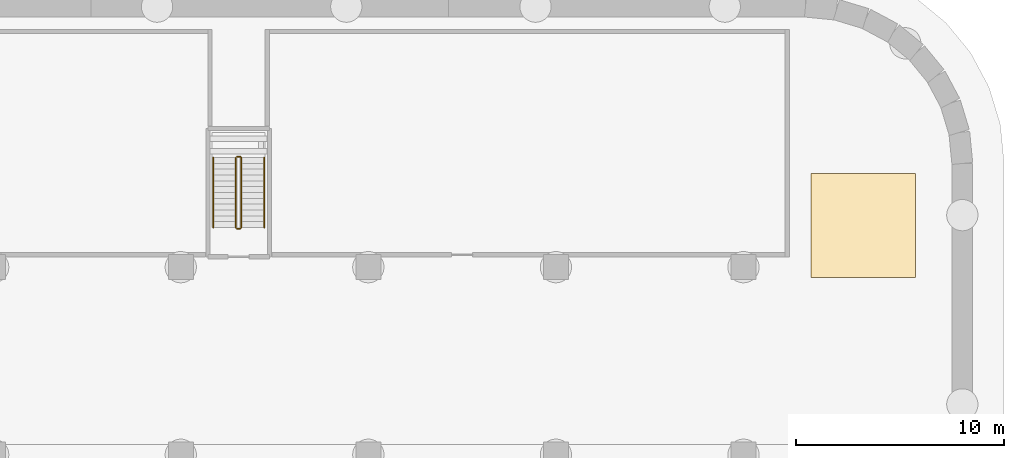
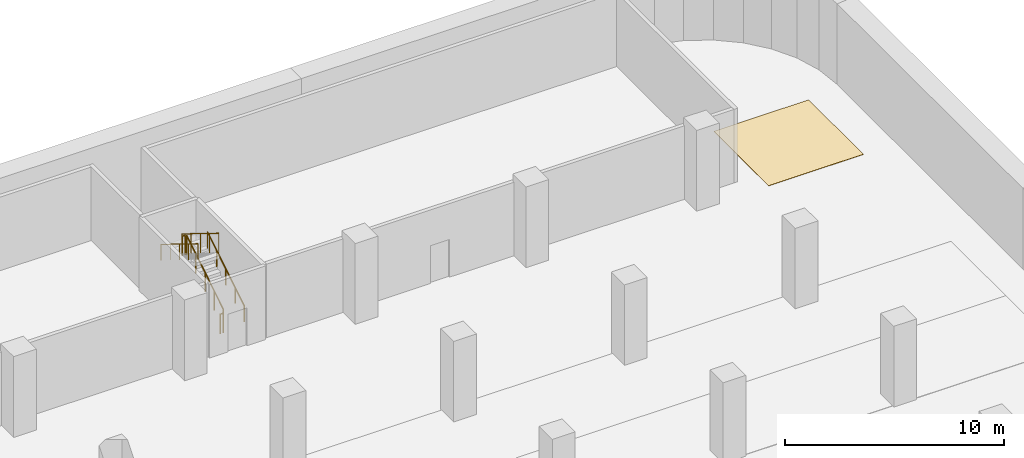
# One storey, part 38 of 39: 6 railings, 1 covering.
"""IFC4 building model written with IfcOpenShell, lengths in metres."""

from ifc_helpers import new_model, si_unit, direction, frame, origin, origin_2d, place, context, subcontext, project, spatial, polyline, circle, outline, extrude, material, layer, layer_set, type_object, element, save


model = new_model("IFC4")

# Units and contexts
model_context = context("Model", 3, precision=1e-05, world=origin(), true_north=direction((0.0, 1.0)))
body_context = subcontext(model_context, "Body", "Model", "MODEL_VIEW")
ifc_project = project(units=[si_unit("LENGTHUNIT", "METRE"), si_unit("AREAUNIT", "SQUARE_METRE"), si_unit("VOLUMEUNIT", "CUBIC_METRE"), si_unit("PLANEANGLEUNIT", "RADIAN"), si_unit("MASSUNIT", "GRAM", prefix="KILO")], contexts=[model_context])

# Site, building, storey
site_placement = place(None, origin())
site = spatial("IfcSite", under=ifc_project, at=site_placement, CompositionType="ELEMENT")
building_placement = place(site_placement, origin())
building = spatial("IfcBuilding", under=site, at=building_placement, Name="Ogive Gate Towers", CompositionType="ELEMENT")
storey_placement = place(building_placement, frame((0.0, 0.0, -9.0)))
storey = spatial("IfcBuildingStorey", under=building, at=storey_placement, Name="B2", CompositionType="ELEMENT", Elevation=-9.0)

# Railings
ifc_material_1 = material(Name="Painted steel", Category="steel")
railing_type_1 = type_object("IfcRailingType", Name="Car park stair guard 1100", PredefinedType="GUARDRAIL", material=ifc_material_1)
railing_1_placement = place(storey_placement, frame((92.89990234375, 64.89990234375, 0.173095703125)))
element("IfcRailing", 1, at=railing_1_placement, inside=storey, type_object=railing_type_1, Name="B2 CS4 stair guard 1", PredefinedType="GUARDRAIL", context=body_context, shape_type="SweptSolid", body=[
    extrude(circle(Radius=0.02392578125, at=origin_2d()), frame((0.0, 0.0, 1.076171875), z_axis=(0.0, 0.850623216509, 0.525775754039), x_axis=(-1.0, 0.0, 0.0)), (0.0, 0.0, 1.0), 3.9501953125),
    extrude(circle(Radius=0.02099609375, at=origin_2d()), origin(), (0.0, 0.0, 1.0), 1.052001953125),
    extrude(circle(Radius=0.02099609375, at=origin_2d()), frame((0.0, 0.840087890625, 0.519287109375)), (0.0, 0.0, 1.0), 1.052001953125),
    extrude(circle(Radius=0.02099609375, at=origin_2d()), frame((0.0, 1.68017578125, 1.03857421875)), (0.0, 0.0, 1.0), 1.052001953125),
    extrude(circle(Radius=0.02099609375, at=origin_2d()), frame((0.0, 2.52001953125, 1.5576171875)), (0.0, 0.0, 1.0), 1.052001953125),
    extrude(circle(Radius=0.02099609375, at=origin_2d()), frame((0.0, 3.360107421875, 2.076904296875)), (0.0, 0.0, 1.0), 1.052001953125),
])
railing_2_placement = place(storey_placement, frame((92.85009765625, 68.31005859375, 2.25)))
element("IfcRailing", 2, at=railing_2_placement, inside=storey, type_object=railing_type_1, Name="B2 CS4 stair guard 2", PredefinedType="GUARDRAIL", context=body_context, shape_type="SweptSolid", body=[
    extrude(circle(Radius=0.02392578125, at=origin_2d()), frame((0.0, 0.0, 1.076171875), z_axis=(-1.0, 0.0, 0.0), x_axis=(0.0, -1.0, 0.0)), (0.0, 0.0, 1.0), 0.150146484375),
    extrude(circle(Radius=0.02099609375, at=origin_2d()), origin(), (0.0, 0.0, 1.0), 1.052001953125),
    extrude(circle(Radius=0.02099609375, at=origin_2d()), frame((-0.150146484375, 0.0, 0.0)), (0.0, 0.0, 1.0), 1.052001953125),
])
railing_3_placement = place(storey_placement, frame((92.64990234375, 68.260009765625, 2.423095703125)))
element("IfcRailing", 3, at=railing_3_placement, inside=storey, type_object=railing_type_1, Name="B2 CS4 stair guard 3", PredefinedType="GUARDRAIL", context=body_context, shape_type="SweptSolid", body=[
    extrude(circle(Radius=0.02392578125, at=origin_2d()), frame((0.0, 0.0, 1.076171875), z_axis=(0.0, -0.850623216509, 0.525775754039), x_axis=(1.0, 0.0, 0.0)), (0.0, 0.0, 1.0), 3.9501953125),
    extrude(circle(Radius=0.02099609375, at=origin_2d()), origin(), (0.0, 0.0, 1.0), 1.052001953125),
    extrude(circle(Radius=0.02099609375, at=origin_2d()), frame((0.0, -0.840087890625, 0.519287109375)), (0.0, 0.0, 1.0), 1.052001953125),
    extrude(circle(Radius=0.02099609375, at=origin_2d()), frame((0.0, -1.68017578125, 1.03857421875)), (0.0, 0.0, 1.0), 1.052001953125),
    extrude(circle(Radius=0.02099609375, at=origin_2d()), frame((0.0, -2.52001953125, 1.5576171875)), (0.0, 0.0, 1.0), 1.052001953125),
    extrude(circle(Radius=0.02099609375, at=origin_2d()), frame((0.0, -3.360107421875, 2.076904296875)), (0.0, 0.0, 1.0), 1.052001953125),
])
railing_4_placement = place(storey_placement, frame((92.85009765625, 64.85009765625, 0.0)))
element("IfcRailing", 4, at=railing_4_placement, inside=storey, type_object=railing_type_1, Name="B2 CS4 stair guard 4", PredefinedType="GUARDRAIL", context=body_context, shape_type="SweptSolid", body=[
    extrude(circle(Radius=0.02392578125, at=origin_2d()), frame((0.0, 0.0, 1.076171875), z_axis=(-1.0, 0.0, 0.0), x_axis=(0.0, -1.0, 0.0)), (0.0, 0.0, 1.0), 0.150146484375),
    extrude(circle(Radius=0.02099609375, at=origin_2d()), origin(), (0.0, 0.0, 1.0), 1.052001953125),
    extrude(circle(Radius=0.02099609375, at=origin_2d()), frame((-0.150146484375, 0.0, 0.0)), (0.0, 0.0, 1.0), 1.052001953125),
])
ifc_material_2 = material(Name="Stainless steel handrail", Category="steel")
railing_type_2 = type_object("IfcRailingType", Name="Car park stair handrail 900", PredefinedType="HANDRAIL", material=ifc_material_2)
railing_5_placement = place(storey_placement, frame((94.0, 64.89990234375, 0.173095703125)))
element("IfcRailing", 5, at=railing_5_placement, inside=storey, type_object=railing_type_2, Name="B2 CS4 stair handrail 1", PredefinedType="HANDRAIL", context=body_context, shape_type="SweptSolid", body=[
    extrude(circle(Radius=0.02392578125, at=origin_2d()), frame((0.0, 0.0, 0.8759765625), z_axis=(0.0, 0.850623216509, 0.525775754039), x_axis=(-1.0, 0.0, 0.0)), (0.0, 0.0, 1.0), 3.9501953125),
    extrude(circle(Radius=0.02099609375, at=origin_2d()), origin(), (0.0, 0.0, 1.0), 0.851806640625),
    extrude(circle(Radius=0.02099609375, at=origin_2d()), frame((0.0, 0.840087890625, 0.519287109375)), (0.0, 0.0, 1.0), 0.851806640625),
    extrude(circle(Radius=0.02099609375, at=origin_2d()), frame((0.0, 1.68017578125, 1.03857421875)), (0.0, 0.0, 1.0), 0.851806640625),
    extrude(circle(Radius=0.02099609375, at=origin_2d()), frame((0.0, 2.52001953125, 1.5576171875)), (0.0, 0.0, 1.0), 0.851806640625),
    extrude(circle(Radius=0.02099609375, at=origin_2d()), frame((0.0, 3.360107421875, 2.076904296875)), (0.0, 0.0, 1.0), 0.851806640625),
])
railing_6_placement = place(storey_placement, frame((91.550048828125, 68.260009765625, 2.423095703125)))
element("IfcRailing", 6, at=railing_6_placement, inside=storey, type_object=railing_type_2, Name="B2 CS4 stair handrail 2", PredefinedType="HANDRAIL", context=body_context, shape_type="SweptSolid", body=[
    extrude(circle(Radius=0.02392578125, at=origin_2d()), frame((0.0, 0.0, 0.8759765625), z_axis=(0.0, -0.850623216509, 0.525775754039), x_axis=(1.0, 0.0, 0.0)), (0.0, 0.0, 1.0), 3.9501953125),
    extrude(circle(Radius=0.02099609375, at=origin_2d()), origin(), (0.0, 0.0, 1.0), 0.851806640625),
    extrude(circle(Radius=0.02099609375, at=origin_2d()), frame((0.0, -0.840087890625, 0.519287109375)), (0.0, 0.0, 1.0), 0.851806640625),
    extrude(circle(Radius=0.02099609375, at=origin_2d()), frame((0.0, -1.68017578125, 1.03857421875)), (0.0, 0.0, 1.0), 0.851806640625),
    extrude(circle(Radius=0.02099609375, at=origin_2d()), frame((0.0, -2.52001953125, 1.5576171875)), (0.0, 0.0, 1.0), 0.851806640625),
    extrude(circle(Radius=0.02099609375, at=origin_2d()), frame((0.0, -3.360107421875, 2.076904296875)), (0.0, 0.0, 1.0), 0.851806640625),
])

# Covering
ifc_material_3 = material(Name="Painted floor marking")
ifc_layer = layer(ifc_material_3, 0.02001953125)
ifc_layer_set = layer_set([ifc_layer], Name="Parking bay marking")
covering_type = type_object("IfcCoveringType", Name="Parking bay marking", PredefinedType="FLOORING", material=ifc_layer_set)
covering_placement = place(storey_placement, origin())
element("IfcCovering", 7, at=covering_placement, inside=storey, type_object=covering_type, Name="Parking bays B2-174 to B2-175", PredefinedType="FLOORING", context=body_context, shape_type="SweptSolid", body=[
    extrude(outline(polyline([(125.25, 67.5), (125.25, 62.5), (120.25, 62.5), (120.25, 67.5), (125.25, 67.5)])), origin(), (0.0, 0.0, 1.0), 0.02001953125),
])

save(model, "model.ifc")
